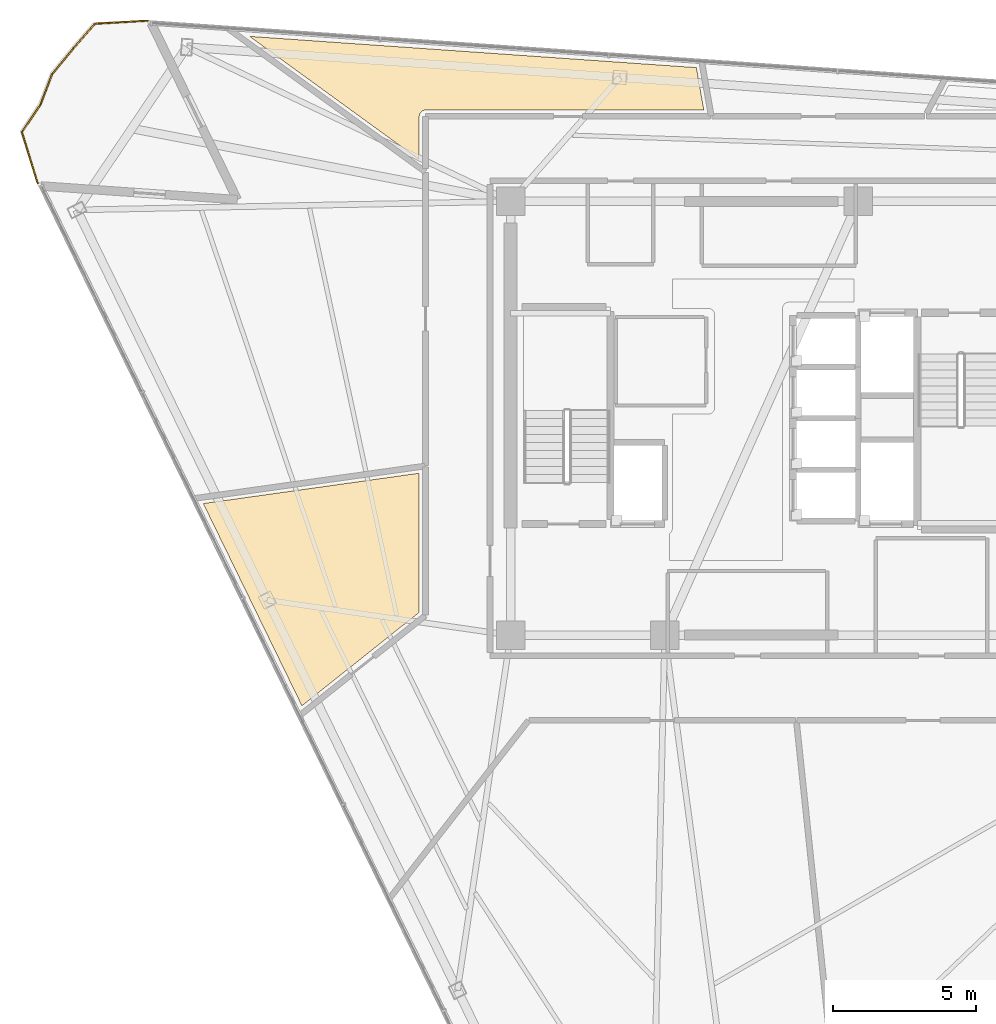
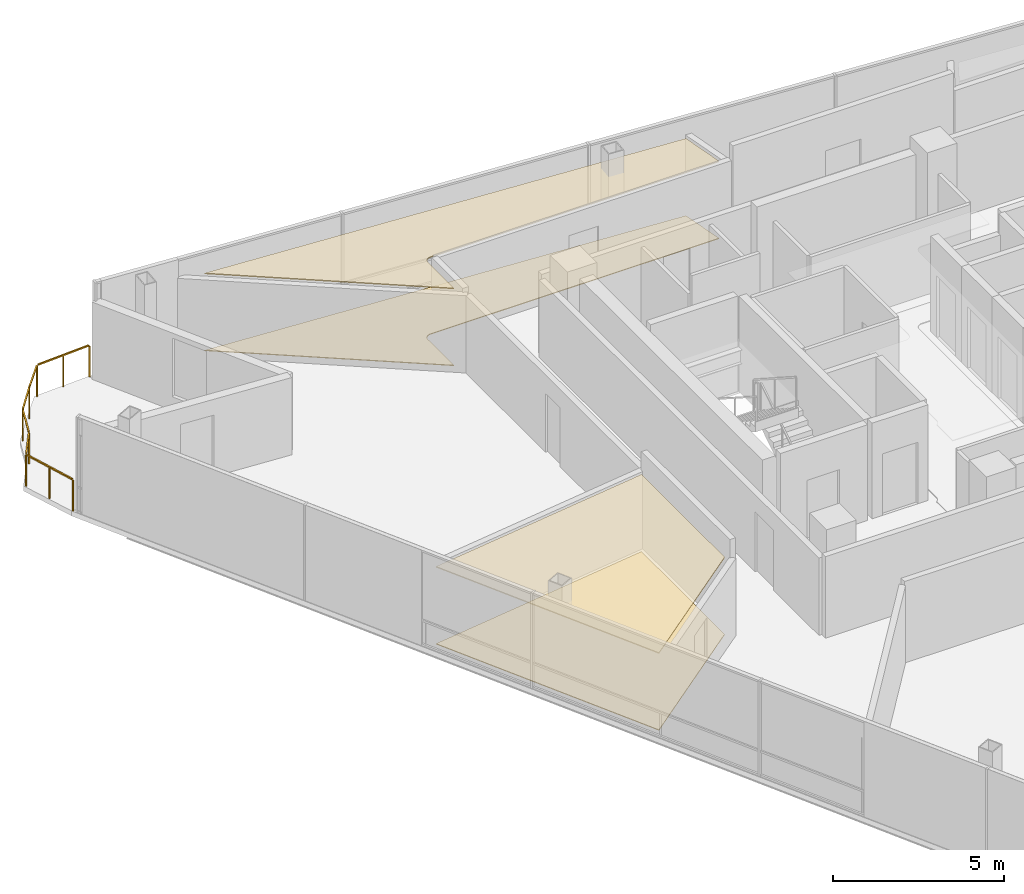
# One storey, part 12 of 14: 4 coverings, 1 railing.
"""IFC4 building model written with IfcOpenShell, lengths in metres."""

from ifc_helpers import new_model, si_unit, direction, frame, origin, origin_2d, place, context, subcontext, project, spatial, polyline, rectangle, outline, extrude, material, layer, layer_set, type_object, element, save


model = new_model("IFC4")

# Units and contexts
model_context = context("Model", 3, precision=1e-05, world=origin(), true_north=direction((0.0, 1.0)))
body_context = subcontext(model_context, "Body", "Model", "MODEL_VIEW")
ifc_project = project(units=[si_unit("LENGTHUNIT", "METRE"), si_unit("AREAUNIT", "SQUARE_METRE"), si_unit("VOLUMEUNIT", "CUBIC_METRE"), si_unit("PLANEANGLEUNIT", "RADIAN"), si_unit("MASSUNIT", "GRAM", prefix="KILO")], contexts=[model_context])

# Site, building, storey
site_placement = place(None, origin())
site = spatial("IfcSite", under=ifc_project, at=site_placement, CompositionType="ELEMENT")
building_placement = place(site_placement, origin())
building = spatial("IfcBuilding", under=site, at=building_placement, Name="Tharavind Bronze Gate", CompositionType="ELEMENT")
storey_placement = place(building_placement, frame((0.0, 0.0, 245.050048828125)))
storey = spatial("IfcBuildingStorey", under=building, at=storey_placement, Name="L63", CompositionType="ELEMENT", Elevation=245.050048828125)

# Coverings
ifc_material_1 = material(Name="Engineered Oak & Carpet Tile", Category="wood")
ifc_layer_1 = layer(ifc_material_1, 0.02490234375)
ifc_layer_set_1 = layer_set([ifc_layer_1], Name="Engineered Oak & Carpet Tile")
covering_type_1 = type_object("IfcCoveringType", Name="ENGINEERED TIMBER FLOORING", PredefinedType="FLOORING", material=ifc_layer_set_1)
covering_1_placement = place(storey_placement, origin())
element("IfcCovering", 1, at=covering_1_placement, inside=storey, type_object=covering_type_1, Name="L63-RM-03 floor finish", PredefinedType="FLOORING", context=body_context, shape_type="SweptSolid", body=[
    extrude(outline(polyline([(-12.10009765625, 9.06298828125), (-12.10009765625, 10.579345703125), (-12.099609375, 10.590087890625), (-12.099609375, 10.5908203125), (-12.09765625, 10.6123046875), (-12.093505859375, 10.63330078125), (-12.087158203125, 10.654052734375), (-12.078857421875, 10.674072265625), (-12.068603515625, 10.693115234375), (-12.056640625, 10.7109375), (-12.04296875, 10.727783203125), (-12.027587890625, 10.742919921875), (-12.010986328125, 10.756591796875), (-11.9931640625, 10.768798828125), (-11.97412109375, 10.77880859375), (-11.9541015625, 10.787109375), (-11.933349609375, 10.79345703125), (-11.912353515625, 10.797607421875), (-11.890869140625, 10.7998046875), (-11.89013671875, 10.7998046875), (-11.87939453125, 10.800048828125), (-2.127685546875, 10.800048828125), (-2.39013671875, 12.288330078125), (-18.0458984375, 13.383056640625), (-12.10009765625, 9.06298828125)])), origin(), (0.0, 0.0, 1.0), 0.02490234375),
])
covering_2_placement = place(storey_placement, origin())
element("IfcCovering", 2, at=covering_2_placement, inside=storey, type_object=covering_type_1, Name="L63-RM-05 floor finish", PredefinedType="FLOORING", context=body_context, shape_type="SweptSolid", body=[
    extrude(outline(polyline([(-16.210693359375, -10.069580078125), (-12.10009765625, -6.79736328125), (-12.10009765625, -1.922607421875), (-19.66552734375, -2.986083984375), (-16.210693359375, -10.069580078125)])), origin(), (0.0, 0.0, 1.0), 0.02490234375),
])
ifc_material_2 = material(Name="Acoustic Gypsum Board", Category="gypsum")
ifc_layer_2 = layer(ifc_material_2, 0.030029296875)
ifc_layer_set_2 = layer_set([ifc_layer_2], Name="Acoustic Gypsum Board")
covering_type_2 = type_object("IfcCoveringType", Name="GYPSUM SUSPENDED CEILING", PredefinedType="CEILING", material=ifc_layer_set_2)
covering_3_placement = place(storey_placement, frame((0.0, 0.0, 2.75)))
element("IfcCovering", 3, at=covering_3_placement, inside=storey, type_object=covering_type_2, Name="L63-RM-03 suspended ceiling", PredefinedType="CEILING", context=body_context, shape_type="SweptSolid", body=[
    extrude(outline(polyline([(-12.10009765625, 9.06298828125), (-12.10009765625, 10.579345703125), (-12.099609375, 10.590087890625), (-12.099609375, 10.5908203125), (-12.09765625, 10.6123046875), (-12.093505859375, 10.63330078125), (-12.087158203125, 10.654052734375), (-12.078857421875, 10.674072265625), (-12.068603515625, 10.693115234375), (-12.056640625, 10.7109375), (-12.04296875, 10.727783203125), (-12.027587890625, 10.742919921875), (-12.010986328125, 10.756591796875), (-11.9931640625, 10.768798828125), (-11.97412109375, 10.77880859375), (-11.9541015625, 10.787109375), (-11.933349609375, 10.79345703125), (-11.912353515625, 10.797607421875), (-11.890869140625, 10.7998046875), (-11.89013671875, 10.7998046875), (-11.87939453125, 10.800048828125), (-2.127685546875, 10.800048828125), (-2.39013671875, 12.288330078125), (-18.0458984375, 13.383056640625), (-12.10009765625, 9.06298828125)])), origin(), (0.0, 0.0, 1.0), 0.034912109375),
])
covering_4_placement = place(storey_placement, frame((0.0, 0.0, 2.75)))
element("IfcCovering", 4, at=covering_4_placement, inside=storey, type_object=covering_type_2, Name="L63-RM-05 suspended ceiling", PredefinedType="CEILING", context=body_context, shape_type="SweptSolid", body=[
    extrude(outline(polyline([(-16.210693359375, -10.069580078125), (-12.10009765625, -6.79736328125), (-12.10009765625, -1.922607421875), (-19.66552734375, -2.986083984375), (-16.210693359375, -10.069580078125)])), origin(), (0.0, 0.0, 1.0), 0.034912109375),
])

# Railing
ifc_material_3 = material(Name="Bronze Cap & Laminated Glass", Category="glass")
railing_type = type_object("IfcRailingType", Name="TERRACE GLASS GUARD RAILING 1150", PredefinedType="GUARDRAIL", material=ifc_material_3)
railing_placement = place(storey_placement, frame((-25.4697265625, 8.230224609375, 0.0)))
element("IfcRailing", 5, at=railing_placement, inside=storey, type_object=railing_type, Name="L63 tree balcony guard railing", PredefinedType="GUARDRAIL", context=body_context, shape_type="SweptSolid", body=[
    extrude(rectangle(XDim=0.048095703125, YDim=0.048095703125, at=origin_2d()), frame((-0.009521484375, 0.030517578125, 1.1259765625), z_axis=(-0.294314517562, 0.955708619168, 0.0), x_axis=(-0.955708619168, -0.294314517562, 0.0)), (0.0, 0.0, 1.0), 1.8115234375),
    extrude(rectangle(XDim=0.048095703125, YDim=0.048095703125, at=origin_2d()), frame((-0.5341796875, 1.819091796875, 1.1259765625), z_axis=(0.559213151727, 0.829023914574, 0.0), x_axis=(-0.829023914574, 0.559213151727, 0.0)), (0.0, 0.0, 1.0), 1.08251953125),
    extrude(rectangle(XDim=0.048095703125, YDim=0.048095703125, at=origin_2d()), frame((0.1005859375, 2.772705078125, 1.1259765625), z_axis=(0.361885115159, 0.932222700553, 0.0), x_axis=(-0.932222700553, 0.361885115159, 0.0)), (0.0, 0.0, 1.0), 1.11181640625),
    extrude(rectangle(XDim=0.048095703125, YDim=0.048095703125, at=origin_2d()), frame((0.53515625, 3.86376953125, 1.1259765625), z_axis=(0.637324854119, 0.77059524416, 0.0), x_axis=(-0.77059524416, 0.637324854119, 0.0)), (0.0, 0.0, 1.0), 1.08837890625),
    extrude(rectangle(XDim=0.048095703125, YDim=0.048095703125, at=origin_2d()), frame((1.270263671875, 4.7509765625, 1.1259765625), z_axis=(0.660580286946, 0.750755409237, 0.0), x_axis=(-0.750755409237, 0.660580286946, 0.0)), (0.0, 0.0, 1.0), 1.092041015625),
    extrude(rectangle(XDim=0.048095703125, YDim=0.048095703125, at=origin_2d()), frame((2.044677734375, 5.596923828125, 1.1259765625), z_axis=(0.998250930511, 0.059119199371, 0.0), x_axis=(-0.059119199371, 0.998250930511, 0.0)), (0.0, 0.0, 1.0), 1.773681640625),
    extrude(rectangle(XDim=0.0400390625, YDim=0.0400390625, at=origin_2d()), origin(), (0.0, 0.0, 1.0), 1.097900390625),
    extrude(rectangle(XDim=0.0400390625, YDim=0.0400390625, at=origin_2d()), frame((-0.27587890625, 0.896240234375, 0.0)), (0.0, 0.0, 1.0), 1.097900390625),
    extrude(rectangle(XDim=0.0400390625, YDim=0.0400390625, at=origin_2d()), frame((-0.552001953125, 1.79248046875, 0.0)), (0.0, 0.0, 1.0), 1.097900390625),
    extrude(rectangle(XDim=0.0400390625, YDim=0.0400390625, at=origin_2d()), frame((0.089111328125, 2.742919921875, 0.0)), (0.0, 0.0, 1.0), 1.097900390625),
    extrude(rectangle(XDim=0.0400390625, YDim=0.0400390625, at=origin_2d()), frame((0.5146484375, 3.839111328125, 0.0)), (0.0, 0.0, 1.0), 1.097900390625),
    extrude(rectangle(XDim=0.0400390625, YDim=0.0400390625, at=origin_2d()), frame((1.2490234375, 4.72705078125, 0.0)), (0.0, 0.0, 1.0), 1.097900390625),
    extrude(rectangle(XDim=0.0400390625, YDim=0.0400390625, at=origin_2d()), frame((2.0126953125, 5.594970703125, 0.0)), (0.0, 0.0, 1.0), 1.097900390625),
    extrude(rectangle(XDim=0.0400390625, YDim=0.0400390625, at=origin_2d()), frame((2.929931640625, 5.6494140625, 0.0)), (0.0, 0.0, 1.0), 1.097900390625),
    extrude(rectangle(XDim=0.0400390625, YDim=0.0400390625, at=origin_2d()), frame((3.84716796875, 5.70361328125, 0.0)), (0.0, 0.0, 1.0), 1.097900390625),
])

save(model, "model.ifc")
